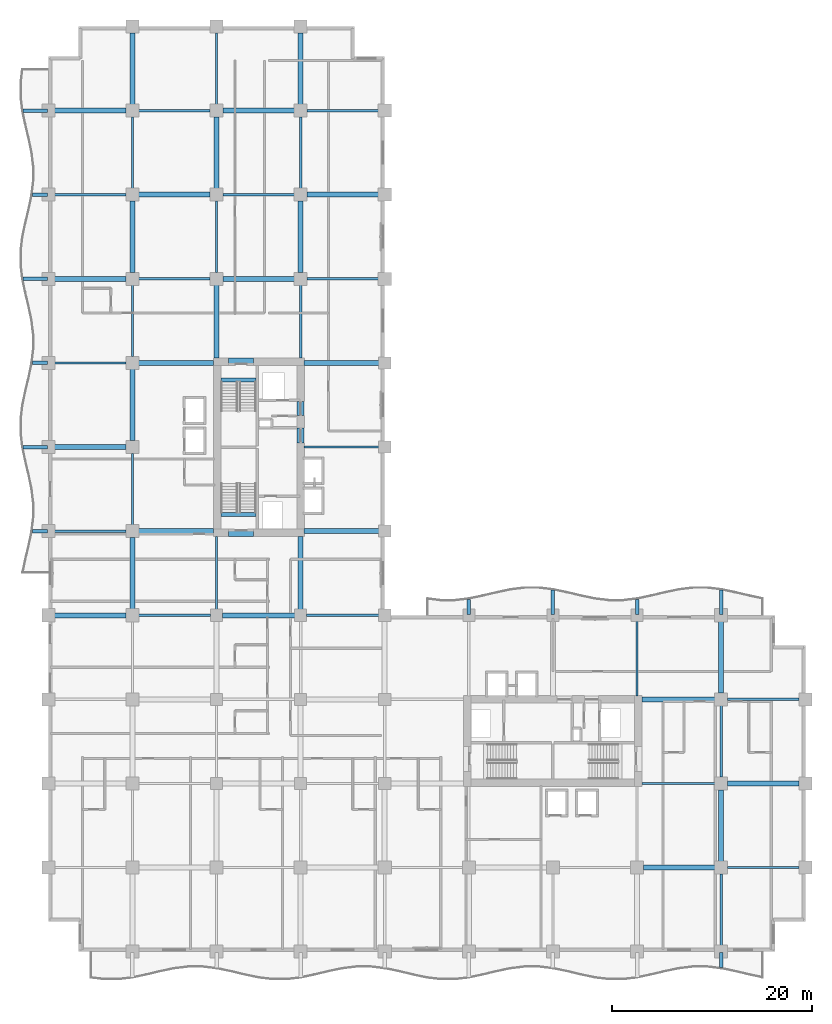
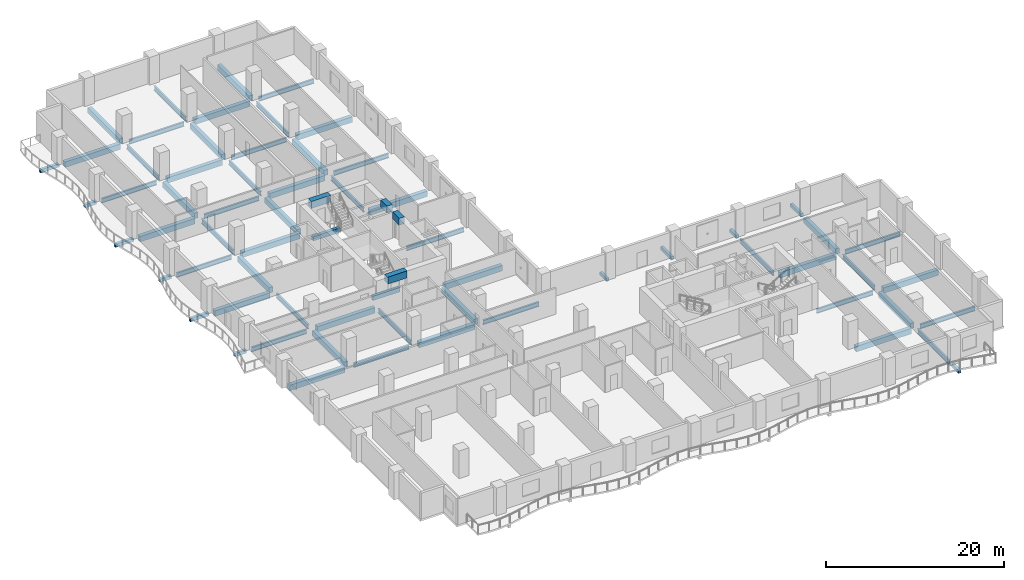
# One storey, part 2 of 18: 69 beams.
"""IFC4 building model written with IfcOpenShell, lengths in metres."""

from ifc_helpers import new_model, si_unit, direction, frame, origin, origin_2d, place, context, subcontext, project, spatial, rectangle, i_section, extrude, material, material_profile, profile_set, type_object, element, save


model = new_model("IFC4")

# Units and contexts
model_context = context("Model", 3, precision=1e-05, world=origin(), true_north=direction((0.0, 1.0)))
body_context = subcontext(model_context, "Body", "Model", "MODEL_VIEW")
ifc_project = project(units=[si_unit("LENGTHUNIT", "METRE"), si_unit("AREAUNIT", "SQUARE_METRE"), si_unit("VOLUMEUNIT", "CUBIC_METRE"), si_unit("PLANEANGLEUNIT", "RADIAN"), si_unit("MASSUNIT", "GRAM", prefix="KILO")], contexts=[model_context])

# Site, building, storey
site_placement = place(None, origin())
site = spatial("IfcSite", under=ifc_project, at=site_placement, CompositionType="ELEMENT")
building_placement = place(site_placement, origin())
building = spatial("IfcBuilding", under=site, at=building_placement, Name="Koriwani Terraces Tower", CompositionType="ELEMENT")
storey_placement = place(building_placement, frame((0.0, 0.0, 115.199951171875)))
storey = spatial("IfcBuildingStorey", under=building, at=storey_placement, Name="L27", CompositionType="ELEMENT", Elevation=115.199951171875)

# Beams
ifc_material_1 = material(Name="Concrete C40/50", Category="concrete")
ifc_material_profile_1 = material_profile(ifc_material_1, rectangle(XDim=0.35009765625, YDim=0.449951171875, at=origin_2d()), Name="Concrete C40/50", Category="LoadBearing")
ifc_profile_set_1 = profile_set([ifc_material_profile_1], Name="Concrete C40/50")
beam_type_1 = type_object("IfcBeamType", Name="BEAM_RC_BALCONY_RIB_350X450", PredefinedType="JOIST", material=ifc_profile_set_1)
for number, where, z_axis, x_axis, name in (
    (1, (67.199951171875, -1.59033203125, -0.474853515625), (0.0, 1.0, 0.0), (-1.0, 0.0, 0.0), "L27 Balcony Bracket Rib S-8"),
    (2, (-1.59033203125, 42.0, -0.474853515625), (1.0, 0.0, 0.0), (0.0, 1.0, 0.0), "L27 Balcony Bracket Rib W-1"),
):
    element("IfcBeam", number, at=place(storey_placement, frame(where, z_axis=z_axis, x_axis=x_axis)), inside=storey, type_object=beam_type_1, Name=name, PredefinedType="JOIST", context=body_context, shape_type="SweptSolid", body=[
        extrude(rectangle(XDim=0.35009765625, YDim=0.449951171875, at=origin_2d()), origin(), (0.0, 0.0, 1.0), 1.490234375),
    ])
beam_1_placement = place(storey_placement, frame((-2.509521484375, 50.39990234375, -0.474853515625), z_axis=(1.0, 0.0, 0.0), x_axis=(0.0, 1.0, 0.0)))
element("IfcBeam", 3, at=beam_1_placement, inside=storey, type_object=beam_type_1, Name="L27 Balcony Bracket Rib W-2", PredefinedType="JOIST", context=body_context, shape_type="SweptSolid", body=[
    extrude(rectangle(XDim=0.35009765625, YDim=0.449951171875, at=origin_2d()), origin(), (0.0, 0.0, 1.0), 2.409423828125),
])
beam_2_placement = place(storey_placement, frame((-1.59033203125, 58.800048828125, -0.474853515625), z_axis=(1.0, 0.0, 0.0), x_axis=(0.0, 1.0, 0.0)))
element("IfcBeam", 4, at=beam_2_placement, inside=storey, type_object=beam_type_1, Name="L27 Balcony Bracket Rib W-3", PredefinedType="JOIST", context=body_context, shape_type="SweptSolid", body=[
    extrude(rectangle(XDim=0.35009765625, YDim=0.449951171875, at=origin_2d()), origin(), (0.0, 0.0, 1.0), 1.490234375),
])
beam_3_placement = place(storey_placement, frame((-2.509521484375, 67.199951171875, -0.474853515625), z_axis=(1.0, 0.0, 0.0), x_axis=(0.0, 1.0, 0.0)))
element("IfcBeam", 5, at=beam_3_placement, inside=storey, type_object=beam_type_1, Name="L27 Balcony Bracket Rib W-4", PredefinedType="JOIST", context=body_context, shape_type="SweptSolid", body=[
    extrude(rectangle(XDim=0.35009765625, YDim=0.449951171875, at=origin_2d()), origin(), (0.0, 0.0, 1.0), 2.409423828125),
])
beam_4_placement = place(storey_placement, frame((-1.59033203125, 75.60009765625, -0.474853515625), z_axis=(1.0, 0.0, 0.0), x_axis=(0.0, 1.0, 0.0)))
element("IfcBeam", 6, at=beam_4_placement, inside=storey, type_object=beam_type_1, Name="L27 Balcony Bracket Rib W-5", PredefinedType="JOIST", context=body_context, shape_type="SweptSolid", body=[
    extrude(rectangle(XDim=0.35009765625, YDim=0.449951171875, at=origin_2d()), origin(), (0.0, 0.0, 1.0), 1.490234375),
])
beam_5_placement = place(storey_placement, frame((-2.509521484375, 84.0, -0.474853515625), z_axis=(1.0, 0.0, 0.0), x_axis=(0.0, 1.0, 0.0)))
element("IfcBeam", 7, at=beam_5_placement, inside=storey, type_object=beam_type_1, Name="L27 Balcony Bracket Rib W-6", PredefinedType="JOIST", context=body_context, shape_type="SweptSolid", body=[
    extrude(rectangle(XDim=0.35009765625, YDim=0.449951171875, at=origin_2d()), origin(), (0.0, 0.0, 1.0), 2.409423828125),
])
beam_6_placement = place(storey_placement, frame((42.0, 33.699951171875, -0.474853515625), z_axis=(0.0, 1.0, 0.0), x_axis=(-1.0, 0.0, 0.0)))
element("IfcBeam", 8, at=beam_6_placement, inside=storey, type_object=beam_type_1, Name="L27 Balcony Bracket Rib NE-1", PredefinedType="JOIST", context=body_context, shape_type="SweptSolid", body=[
    extrude(rectangle(XDim=0.35009765625, YDim=0.449951171875, at=origin_2d()), origin(), (0.0, 0.0, 1.0), 1.490478515625),
])
beam_7_placement = place(storey_placement, frame((50.39990234375, 33.699951171875, -0.474853515625), z_axis=(0.0, 1.0, 0.0), x_axis=(-1.0, 0.0, 0.0)))
element("IfcBeam", 9, at=beam_7_placement, inside=storey, type_object=beam_type_1, Name="L27 Balcony Bracket Rib NE-2", PredefinedType="JOIST", context=body_context, shape_type="SweptSolid", body=[
    extrude(rectangle(XDim=0.35009765625, YDim=0.449951171875, at=origin_2d()), origin(), (0.0, 0.0, 1.0), 2.40966796875),
])
beam_8_placement = place(storey_placement, frame((58.800048828125, 33.699951171875, -0.474853515625), z_axis=(0.0, 1.0, 0.0), x_axis=(-1.0, 0.0, 0.0)))
element("IfcBeam", 10, at=beam_8_placement, inside=storey, type_object=beam_type_1, Name="L27 Balcony Bracket Rib NE-3", PredefinedType="JOIST", context=body_context, shape_type="SweptSolid", body=[
    extrude(rectangle(XDim=0.35009765625, YDim=0.449951171875, at=origin_2d()), origin(), (0.0, 0.0, 1.0), 1.490478515625),
])
beam_9_placement = place(storey_placement, frame((67.199951171875, 33.699951171875, -0.474853515625), z_axis=(0.0, 1.0, 0.0), x_axis=(-1.0, 0.0, 0.0)))
element("IfcBeam", 11, at=beam_9_placement, inside=storey, type_object=beam_type_1, Name="L27 Balcony Bracket Rib NE-4", PredefinedType="JOIST", context=body_context, shape_type="SweptSolid", body=[
    extrude(rectangle(XDim=0.35009765625, YDim=0.449951171875, at=origin_2d()), origin(), (0.0, 0.0, 1.0), 2.40966796875),
])
ifc_material_2 = material(Name="Concrete C60/75", Category="concrete")
ifc_material_profile_2 = material_profile(ifc_material_2, rectangle(XDim=0.699951171875, YDim=0.949951171875, at=origin_2d()), Name="Concrete C60/75", Category="LoadBearing")
ifc_profile_set_2 = profile_set([ifc_material_profile_2], Name="Concrete C60/75")
beam_type_2 = type_object("IfcBeamType", Name="BEAM_RC_COUPLING_700X950", PredefinedType="LINTEL", material=ifc_profile_set_2)
beam_10_placement = place(storey_placement, frame((25.199951171875, 50.800048828125, 3.074951171875), z_axis=(0.0, 1.0, 0.0), x_axis=(-1.0, 0.0, 0.0)))
element("IfcBeam", 12, at=beam_10_placement, inside=storey, type_object=beam_type_2, Name="L27 Core Coupling Lintel Beam WE1", PredefinedType="LINTEL", context=body_context, shape_type="SweptSolid", body=[
    extrude(rectangle(XDim=0.699951171875, YDim=0.949951171875, at=origin_2d()), origin(), (0.0, 0.0, 1.0), 1.47998046875),
])
beam_11_placement = place(storey_placement, frame((25.199951171875, 53.550048828125, 3.074951171875), z_axis=(0.0, 1.0, 0.0), x_axis=(-1.0, 0.0, 0.0)))
element("IfcBeam", 13, at=beam_11_placement, inside=storey, type_object=beam_type_2, Name="L27 Core Coupling Lintel Beam WE2", PredefinedType="LINTEL", context=body_context, shape_type="SweptSolid", body=[
    extrude(rectangle(XDim=0.699951171875, YDim=0.949951171875, at=origin_2d()), origin(), (0.0, 0.0, 1.0), 1.39990234375),
])
for number, where, z_axis, x_axis, name in (
    (14, (18.0, 41.824951171875, 3.074951171875), (1.0, 0.0, 0.0), (0.0, 1.0, 0.0), "L27 Core Coupling Lintel Beam WS"),
    (15, (18.0, 58.925048828125, 3.074951171875), (1.0, 0.0, 0.0), (0.0, 1.0, 0.0), "L27 Core Coupling Lintel Beam WN"),
):
    element("IfcBeam", number, at=place(storey_placement, frame(where, z_axis=z_axis, x_axis=x_axis)), inside=storey, type_object=beam_type_2, Name=name, PredefinedType="LINTEL", context=body_context, shape_type="SweptSolid", body=[
        extrude(rectangle(XDim=0.699951171875, YDim=0.949951171875, at=origin_2d()), origin(), (0.0, 0.0, 1.0), 2.5),
    ])
ifc_material_profile_3 = material_profile(ifc_material_1, rectangle(XDim=0.39990234375, YDim=0.60009765625, at=origin_2d()), Name="Concrete C40/50", Category="LoadBearing")
ifc_profile_set_3 = profile_set([ifc_material_profile_3], Name="Concrete C40/50")
beam_type_3 = type_object("IfcBeamType", Name="BEAM_RC_GRID_400X600", PredefinedType="BEAM", material=ifc_profile_set_3)
for number, where, z_axis, x_axis, name in (
    (16, (17.25, 43.655029296875, -0.300048828125), (1.0, 0.0, 0.0), (0.0, 1.0, 0.0), "L27 Stairwell Header Trimmer Beam ST-W1"),
    (17, (17.25, 57.094970703125, -0.300048828125), (1.0, 0.0, 0.0), (0.0, 1.0, 0.0), "L27 Stairwell Header Trimmer Beam ST-W2"),
):
    element("IfcBeam", number, at=place(storey_placement, frame(where, z_axis=z_axis, x_axis=x_axis)), inside=storey, type_object=beam_type_3, Name=name, PredefinedType="BEAM", context=body_context, shape_type="SweptSolid", body=[
        extrude(rectangle(XDim=0.39990234375, YDim=0.60009765625, at=origin_2d()), origin(), (0.0, 0.0, 1.0), 3.5),
    ])
ifc_material_3 = material(Name="Concrete C50/60", Category="concrete")
ifc_material_profile_4 = material_profile(ifc_material_3, rectangle(XDim=0.5, YDim=0.75, at=origin_2d()), Name="Concrete C50/60", Category="LoadBearing")
ifc_profile_set_4 = profile_set([ifc_material_profile_4], Name="Concrete C50/60")
beam_type_4 = type_object("IfcBeamType", Name="BEAM_RC_GRID_500X750", PredefinedType="BEAM", material=ifc_profile_set_4)
beam_12_placement = place(storey_placement, frame((59.429931640625, 8.39990234375, -0.625), z_axis=(1.0, 0.0, 0.0), x_axis=(0.0, 1.0, 0.0)))
element("IfcBeam", 18, at=beam_12_placement, inside=storey, type_object=beam_type_4, Name="L27 Grid Beam B (58.8-67.2m)", PredefinedType="BEAM", context=body_context, shape_type="SweptSolid", body=[
    extrude(rectangle(XDim=0.5, YDim=0.75, at=origin_2d()), origin(), (0.0, 0.0, 1.0), 7.14013671875),
])
beam_13_placement = place(storey_placement, frame((67.830078125, 16.800048828125, -0.625), z_axis=(1.0, 0.0, 0.0), x_axis=(0.0, 1.0, 0.0)))
element("IfcBeam", 19, at=beam_13_placement, inside=storey, type_object=beam_type_4, Name="L27 Grid Beam C (67.2-75.6m)", PredefinedType="BEAM", context=body_context, shape_type="SweptSolid", body=[
    extrude(rectangle(XDim=0.5, YDim=0.75, at=origin_2d()), origin(), (0.0, 0.0, 1.0), 7.139892578125),
])
beam_14_placement = place(storey_placement, frame((59.280029296875, 25.199951171875, -0.625), z_axis=(1.0, 0.0, 0.0), x_axis=(0.0, 1.0, 0.0)))
element("IfcBeam", 20, at=beam_14_placement, inside=storey, type_object=beam_type_4, Name="L27 Grid Beam D (58.8-67.2m)", PredefinedType="BEAM", context=body_context, shape_type="SweptSolid", body=[
    extrude(rectangle(XDim=0.5, YDim=0.75, at=origin_2d()), origin(), (0.0, 0.0, 1.0), 7.2900390625),
])
beam_15_placement = place(storey_placement, frame((0.6298828125, 33.60009765625, -0.625), z_axis=(1.0, 0.0, 0.0), x_axis=(0.0, 1.0, 0.0)))
element("IfcBeam", 21, at=beam_15_placement, inside=storey, type_object=beam_type_4, Name="L27 Grid Beam E (0.0-8.4m)", PredefinedType="BEAM", context=body_context, shape_type="SweptSolid", body=[
    extrude(rectangle(XDim=0.5, YDim=0.75, at=origin_2d()), origin(), (0.0, 0.0, 1.0), 7.14013671875),
])
beam_16_placement = place(storey_placement, frame((17.3798828125, 33.60009765625, -0.625), z_axis=(1.0, 0.0, 0.0), x_axis=(0.0, 1.0, 0.0)))
element("IfcBeam", 22, at=beam_16_placement, inside=storey, type_object=beam_type_4, Name="L27 Grid Beam E (16.8-25.2m)", PredefinedType="BEAM", context=body_context, shape_type="SweptSolid", body=[
    extrude(rectangle(XDim=0.5, YDim=0.75, at=origin_2d()), origin(), (0.0, 0.0, 1.0), 7.240234375),
])
beam_17_placement = place(storey_placement, frame((9.030029296875, 42.0, -0.625), z_axis=(1.0, 0.0, 0.0), x_axis=(0.0, 1.0, 0.0)))
element("IfcBeam", 23, at=beam_17_placement, inside=storey, type_object=beam_type_4, Name="L27 Grid Beam F (8.4-16.8m)", PredefinedType="BEAM", context=body_context, shape_type="SweptSolid", body=[
    extrude(rectangle(XDim=0.5, YDim=0.75, at=origin_2d()), origin(), (0.0, 0.0, 1.0), 7.489990234375),
])
beam_18_placement = place(storey_placement, frame((25.554931640625, 42.0, -0.625), z_axis=(1.0, 0.0, 0.0), x_axis=(0.0, 1.0, 0.0)))
element("IfcBeam", 24, at=beam_18_placement, inside=storey, type_object=beam_type_4, Name="L27 Grid Beam F (25.2-33.6m)", PredefinedType="BEAM", context=body_context, shape_type="SweptSolid", body=[
    extrude(rectangle(XDim=0.5, YDim=0.75, at=origin_2d()), origin(), (0.0, 0.0, 1.0), 7.465087890625),
])
beam_19_placement = place(storey_placement, frame((0.6298828125, 50.39990234375, -0.625), z_axis=(1.0, 0.0, 0.0), x_axis=(0.0, 1.0, 0.0)))
element("IfcBeam", 25, at=beam_19_placement, inside=storey, type_object=beam_type_4, Name="L27 Grid Beam G (0.0-8.4m)", PredefinedType="BEAM", context=body_context, shape_type="SweptSolid", body=[
    extrude(rectangle(XDim=0.5, YDim=0.75, at=origin_2d()), origin(), (0.0, 0.0, 1.0), 7.14013671875),
])
beam_20_placement = place(storey_placement, frame((9.030029296875, 58.800048828125, -0.625), z_axis=(1.0, 0.0, 0.0), x_axis=(0.0, 1.0, 0.0)))
element("IfcBeam", 26, at=beam_20_placement, inside=storey, type_object=beam_type_4, Name="L27 Grid Beam H (8.4-16.8m)", PredefinedType="BEAM", context=body_context, shape_type="SweptSolid", body=[
    extrude(rectangle(XDim=0.5, YDim=0.75, at=origin_2d()), origin(), (0.0, 0.0, 1.0), 7.489990234375),
])
beam_21_placement = place(storey_placement, frame((25.554931640625, 58.800048828125, -0.625), z_axis=(1.0, 0.0, 0.0), x_axis=(0.0, 1.0, 0.0)))
element("IfcBeam", 27, at=beam_21_placement, inside=storey, type_object=beam_type_4, Name="L27 Grid Beam H (25.2-33.6m)", PredefinedType="BEAM", context=body_context, shape_type="SweptSolid", body=[
    extrude(rectangle(XDim=0.5, YDim=0.75, at=origin_2d()), origin(), (0.0, 0.0, 1.0), 7.465087890625),
])
for number, where, z_axis, x_axis, name in (
    (28, (0.6298828125, 67.199951171875, -0.625), (1.0, 0.0, 0.0), (0.0, 1.0, 0.0), "L27 Grid Beam I (0.0-8.4m)"),
    (29, (17.429931640625, 67.199951171875, -0.625), (1.0, 0.0, 0.0), (0.0, 1.0, 0.0), "L27 Grid Beam I (16.8-25.2m)"),
):
    element("IfcBeam", number, at=place(storey_placement, frame(where, z_axis=z_axis, x_axis=x_axis)), inside=storey, type_object=beam_type_4, Name=name, PredefinedType="BEAM", context=body_context, shape_type="SweptSolid", body=[
        extrude(rectangle(XDim=0.5, YDim=0.75, at=origin_2d()), origin(), (0.0, 0.0, 1.0), 7.14013671875),
    ])
for number, where, z_axis, x_axis, name in (
    (30, (9.030029296875, 75.60009765625, -0.625), (1.0, 0.0, 0.0), (0.0, 1.0, 0.0), "L27 Grid Beam J (8.4-16.8m)"),
    (31, (25.830078125, 75.60009765625, -0.625), (1.0, 0.0, 0.0), (0.0, 1.0, 0.0), "L27 Grid Beam J (25.2-33.6m)"),
):
    element("IfcBeam", number, at=place(storey_placement, frame(where, z_axis=z_axis, x_axis=x_axis)), inside=storey, type_object=beam_type_4, Name=name, PredefinedType="BEAM", context=body_context, shape_type="SweptSolid", body=[
        extrude(rectangle(XDim=0.5, YDim=0.75, at=origin_2d()), origin(), (0.0, 0.0, 1.0), 7.139892578125),
    ])
for number, where, z_axis, x_axis, name in (
    (32, (0.6298828125, 84.0, -0.625), (1.0, 0.0, 0.0), (0.0, 1.0, 0.0), "L27 Grid Beam K (0.0-8.4m)"),
    (33, (17.429931640625, 84.0, -0.625), (1.0, 0.0, 0.0), (0.0, 1.0, 0.0), "L27 Grid Beam K (16.8-25.2m)"),
    (34, (8.39990234375, 34.22998046875, -0.625), (0.0, 1.0, 0.0), (-1.0, 0.0, 0.0), "L27 Grid Beam 2 (33.6-42.0m)"),
):
    element("IfcBeam", number, at=place(storey_placement, frame(where, z_axis=z_axis, x_axis=x_axis)), inside=storey, type_object=beam_type_4, Name=name, PredefinedType="BEAM", context=body_context, shape_type="SweptSolid", body=[
        extrude(rectangle(XDim=0.5, YDim=0.75, at=origin_2d()), origin(), (0.0, 0.0, 1.0), 7.14013671875),
    ])
for number, where, z_axis, x_axis, name in (
    (35, (8.39990234375, 51.030029296875, -0.625), (0.0, 1.0, 0.0), (-1.0, 0.0, 0.0), "L27 Grid Beam 2 (50.4-58.8m)"),
    (36, (8.39990234375, 67.830078125, -0.625), (0.0, 1.0, 0.0), (-1.0, 0.0, 0.0), "L27 Grid Beam 2 (67.2-75.6m)"),
):
    element("IfcBeam", number, at=place(storey_placement, frame(where, z_axis=z_axis, x_axis=x_axis)), inside=storey, type_object=beam_type_4, Name=name, PredefinedType="BEAM", context=body_context, shape_type="SweptSolid", body=[
        extrude(rectangle(XDim=0.5, YDim=0.75, at=origin_2d()), origin(), (0.0, 0.0, 1.0), 7.139892578125),
    ])
beam_22_placement = place(storey_placement, frame((8.39990234375, 84.6298828125, -0.625), z_axis=(0.0, 1.0, 0.0), x_axis=(-1.0, 0.0, 0.0)))
element("IfcBeam", 37, at=beam_22_placement, inside=storey, type_object=beam_type_4, Name="L27 Grid Beam 2 (84.0-92.4m)", PredefinedType="BEAM", context=body_context, shape_type="SweptSolid", body=[
    extrude(rectangle(XDim=0.5, YDim=0.75, at=origin_2d()), origin(), (0.0, 0.0, 1.0), 7.14013671875),
])
beam_23_placement = place(storey_placement, frame((16.800048828125, 59.280029296875, -0.625), z_axis=(0.0, 1.0, 0.0), x_axis=(-1.0, 0.0, 0.0)))
element("IfcBeam", 38, at=beam_23_placement, inside=storey, type_object=beam_type_4, Name="L27 Grid Beam 3 (58.8-67.2m)", PredefinedType="BEAM", context=body_context, shape_type="SweptSolid", body=[
    extrude(rectangle(XDim=0.5, YDim=0.75, at=origin_2d()), origin(), (0.0, 0.0, 1.0), 7.2900390625),
])
beam_24_placement = place(storey_placement, frame((16.800048828125, 76.22998046875, -0.625), z_axis=(0.0, 1.0, 0.0), x_axis=(-1.0, 0.0, 0.0)))
element("IfcBeam", 39, at=beam_24_placement, inside=storey, type_object=beam_type_4, Name="L27 Grid Beam 3 (75.6-84.0m)", PredefinedType="BEAM", context=body_context, shape_type="SweptSolid", body=[
    extrude(rectangle(XDim=0.5, YDim=0.75, at=origin_2d()), origin(), (0.0, 0.0, 1.0), 7.14013671875),
])
beam_25_placement = place(storey_placement, frame((25.199951171875, 34.179931640625, -0.625), z_axis=(0.0, 1.0, 0.0), x_axis=(-1.0, 0.0, 0.0)))
element("IfcBeam", 40, at=beam_25_placement, inside=storey, type_object=beam_type_4, Name="L27 Grid Beam 4 (33.6-42.0m)", PredefinedType="BEAM", context=body_context, shape_type="SweptSolid", body=[
    extrude(rectangle(XDim=0.5, YDim=0.75, at=origin_2d()), origin(), (0.0, 0.0, 1.0), 7.2900390625),
])
beam_26_placement = place(storey_placement, frame((25.199951171875, 67.830078125, -0.625), z_axis=(0.0, 1.0, 0.0), x_axis=(-1.0, 0.0, 0.0)))
element("IfcBeam", 41, at=beam_26_placement, inside=storey, type_object=beam_type_4, Name="L27 Grid Beam 4 (67.2-75.6m)", PredefinedType="BEAM", context=body_context, shape_type="SweptSolid", body=[
    extrude(rectangle(XDim=0.5, YDim=0.75, at=origin_2d()), origin(), (0.0, 0.0, 1.0), 7.139892578125),
])
beam_27_placement = place(storey_placement, frame((25.199951171875, 84.6298828125, -0.625), z_axis=(0.0, 1.0, 0.0), x_axis=(-1.0, 0.0, 0.0)))
element("IfcBeam", 42, at=beam_27_placement, inside=storey, type_object=beam_type_4, Name="L27 Grid Beam 4 (84.0-92.4m)", PredefinedType="BEAM", context=body_context, shape_type="SweptSolid", body=[
    extrude(rectangle(XDim=0.5, YDim=0.75, at=origin_2d()), origin(), (0.0, 0.0, 1.0), 7.14013671875),
])
for number, where, z_axis, x_axis, name in (
    (43, (67.199951171875, 9.030029296875, -0.625), (0.0, 1.0, 0.0), (-1.0, 0.0, 0.0), "L27 Grid Beam 9 (8.4-16.8m)"),
    (44, (67.199951171875, 25.830078125, -0.625), (0.0, 1.0, 0.0), (-1.0, 0.0, 0.0), "L27 Grid Beam 9 (25.2-33.6m)"),
):
    element("IfcBeam", number, at=place(storey_placement, frame(where, z_axis=z_axis, x_axis=x_axis)), inside=storey, type_object=beam_type_4, Name=name, PredefinedType="BEAM", context=body_context, shape_type="SweptSolid", body=[
        extrude(rectangle(XDim=0.5, YDim=0.75, at=origin_2d()), origin(), (0.0, 0.0, 1.0), 7.139892578125),
    ])
ifc_material_4 = material(Name="Steel ASTM A572 Grade 50", Category="steel")
ifc_material_profile_5 = material_profile(ifc_material_4, i_section(OverallWidth=0.22900390625, OverallDepth=0.611083984375, WebThickness=0.0126953125, FlangeThickness=0.022216796875, at=origin_2d()), Name="Steel ASTM A572 Grade 50", Category="LoadBearing")
ifc_profile_set_5 = profile_set([ifc_material_profile_5], Name="Steel ASTM A572 Grade 50")
beam_type_5 = type_object("IfcBeamType", Name="STEEL_BEAM_W610X155", PredefinedType="BEAM", material=ifc_profile_set_5)
beam_28_placement = place(storey_placement, frame((67.830078125, 8.39990234375, -0.555419921875), z_axis=(1.0, 0.0, 0.0), x_axis=(0.0, 1.0, 0.0)))
element("IfcBeam", 45, at=beam_28_placement, inside=storey, type_object=beam_type_5, Name="L27 Grid Beam B (67.2-75.6m)", PredefinedType="BEAM", context=body_context, shape_type="SweptSolid", body=[
    extrude(i_section(OverallWidth=0.22900390625, OverallDepth=0.611083984375, WebThickness=0.0126953125, FlangeThickness=0.022216796875, at=origin_2d()), origin(), (0.0, 0.0, 1.0), 7.139892578125),
])
beam_29_placement = place(storey_placement, frame((59.280029296875, 16.800048828125, -0.555419921875), z_axis=(1.0, 0.0, 0.0), x_axis=(0.0, 1.0, 0.0)))
element("IfcBeam", 46, at=beam_29_placement, inside=storey, type_object=beam_type_5, Name="L27 Grid Beam C (58.8-67.2m)", PredefinedType="BEAM", context=body_context, shape_type="SweptSolid", body=[
    extrude(i_section(OverallWidth=0.22900390625, OverallDepth=0.611083984375, WebThickness=0.0126953125, FlangeThickness=0.022216796875, at=origin_2d()), origin(), (0.0, 0.0, 1.0), 7.2900390625),
])
beam_30_placement = place(storey_placement, frame((67.830078125, 25.199951171875, -0.555419921875), z_axis=(1.0, 0.0, 0.0), x_axis=(0.0, 1.0, 0.0)))
element("IfcBeam", 47, at=beam_30_placement, inside=storey, type_object=beam_type_5, Name="L27 Grid Beam D (67.2-75.6m)", PredefinedType="BEAM", context=body_context, shape_type="SweptSolid", body=[
    extrude(i_section(OverallWidth=0.22900390625, OverallDepth=0.611083984375, WebThickness=0.0126953125, FlangeThickness=0.022216796875, at=origin_2d()), origin(), (0.0, 0.0, 1.0), 7.139892578125),
])
beam_31_placement = place(storey_placement, frame((9.030029296875, 33.60009765625, -0.555419921875), z_axis=(1.0, 0.0, 0.0), x_axis=(0.0, 1.0, 0.0)))
element("IfcBeam", 48, at=beam_31_placement, inside=storey, type_object=beam_type_5, Name="L27 Grid Beam E (8.4-16.8m)", PredefinedType="BEAM", context=body_context, shape_type="SweptSolid", body=[
    extrude(i_section(OverallWidth=0.22900390625, OverallDepth=0.611083984375, WebThickness=0.0126953125, FlangeThickness=0.022216796875, at=origin_2d()), origin(), (0.0, 0.0, 1.0), 7.18994140625),
])
beam_32_placement = place(storey_placement, frame((25.780029296875, 33.60009765625, -0.555419921875), z_axis=(1.0, 0.0, 0.0), x_axis=(0.0, 1.0, 0.0)))
element("IfcBeam", 49, at=beam_32_placement, inside=storey, type_object=beam_type_5, Name="L27 Grid Beam E (25.2-33.6m)", PredefinedType="BEAM", context=body_context, shape_type="SweptSolid", body=[
    extrude(i_section(OverallWidth=0.22900390625, OverallDepth=0.611083984375, WebThickness=0.0126953125, FlangeThickness=0.022216796875, at=origin_2d()), origin(), (0.0, 0.0, 1.0), 7.239990234375),
])
beam_33_placement = place(storey_placement, frame((0.6298828125, 42.0, -0.555419921875), z_axis=(1.0, 0.0, 0.0), x_axis=(0.0, 1.0, 0.0)))
element("IfcBeam", 50, at=beam_33_placement, inside=storey, type_object=beam_type_5, Name="L27 Grid Beam F (0.0-8.4m)", PredefinedType="BEAM", context=body_context, shape_type="SweptSolid", body=[
    extrude(i_section(OverallWidth=0.22900390625, OverallDepth=0.611083984375, WebThickness=0.0126953125, FlangeThickness=0.022216796875, at=origin_2d()), origin(), (0.0, 0.0, 1.0), 7.14013671875),
])
beam_34_placement = place(storey_placement, frame((25.554931640625, 50.39990234375, -0.555419921875), z_axis=(1.0, 0.0, 0.0), x_axis=(0.0, 1.0, 0.0)))
element("IfcBeam", 51, at=beam_34_placement, inside=storey, type_object=beam_type_5, Name="L27 Grid Beam G (25.2-33.6m)", PredefinedType="BEAM", context=body_context, shape_type="SweptSolid", body=[
    extrude(i_section(OverallWidth=0.22900390625, OverallDepth=0.611083984375, WebThickness=0.0126953125, FlangeThickness=0.022216796875, at=origin_2d()), origin(), (0.0, 0.0, 1.0), 7.465087890625),
])
beam_35_placement = place(storey_placement, frame((0.6298828125, 58.800048828125, -0.555419921875), z_axis=(1.0, 0.0, 0.0), x_axis=(0.0, 1.0, 0.0)))
element("IfcBeam", 52, at=beam_35_placement, inside=storey, type_object=beam_type_5, Name="L27 Grid Beam H (0.0-8.4m)", PredefinedType="BEAM", context=body_context, shape_type="SweptSolid", body=[
    extrude(i_section(OverallWidth=0.22900390625, OverallDepth=0.611083984375, WebThickness=0.0126953125, FlangeThickness=0.022216796875, at=origin_2d()), origin(), (0.0, 0.0, 1.0), 7.14013671875),
])
for number, where, z_axis, x_axis, name in (
    (53, (9.030029296875, 67.199951171875, -0.555419921875), (1.0, 0.0, 0.0), (0.0, 1.0, 0.0), "L27 Grid Beam I (8.4-16.8m)"),
    (54, (25.830078125, 67.199951171875, -0.555419921875), (1.0, 0.0, 0.0), (0.0, 1.0, 0.0), "L27 Grid Beam I (25.2-33.6m)"),
):
    element("IfcBeam", number, at=place(storey_placement, frame(where, z_axis=z_axis, x_axis=x_axis)), inside=storey, type_object=beam_type_5, Name=name, PredefinedType="BEAM", context=body_context, shape_type="SweptSolid", body=[
        extrude(i_section(OverallWidth=0.22900390625, OverallDepth=0.611083984375, WebThickness=0.0126953125, FlangeThickness=0.022216796875, at=origin_2d()), origin(), (0.0, 0.0, 1.0), 7.139892578125),
    ])
for number, where, z_axis, x_axis, name in (
    (55, (0.6298828125, 75.60009765625, -0.555419921875), (1.0, 0.0, 0.0), (0.0, 1.0, 0.0), "L27 Grid Beam J (0.0-8.4m)"),
    (56, (17.429931640625, 75.60009765625, -0.555419921875), (1.0, 0.0, 0.0), (0.0, 1.0, 0.0), "L27 Grid Beam J (16.8-25.2m)"),
):
    element("IfcBeam", number, at=place(storey_placement, frame(where, z_axis=z_axis, x_axis=x_axis)), inside=storey, type_object=beam_type_5, Name=name, PredefinedType="BEAM", context=body_context, shape_type="SweptSolid", body=[
        extrude(i_section(OverallWidth=0.22900390625, OverallDepth=0.611083984375, WebThickness=0.0126953125, FlangeThickness=0.022216796875, at=origin_2d()), origin(), (0.0, 0.0, 1.0), 7.14013671875),
    ])
for number, where, z_axis, x_axis, name in (
    (57, (9.030029296875, 84.0, -0.555419921875), (1.0, 0.0, 0.0), (0.0, 1.0, 0.0), "L27 Grid Beam K (8.4-16.8m)"),
    (58, (25.830078125, 84.0, -0.555419921875), (1.0, 0.0, 0.0), (0.0, 1.0, 0.0), "L27 Grid Beam K (25.2-33.6m)"),
):
    element("IfcBeam", number, at=place(storey_placement, frame(where, z_axis=z_axis, x_axis=x_axis)), inside=storey, type_object=beam_type_5, Name=name, PredefinedType="BEAM", context=body_context, shape_type="SweptSolid", body=[
        extrude(i_section(OverallWidth=0.22900390625, OverallDepth=0.611083984375, WebThickness=0.0126953125, FlangeThickness=0.022216796875, at=origin_2d()), origin(), (0.0, 0.0, 1.0), 7.139892578125),
    ])
for number, where, z_axis, x_axis, name in (
    (59, (8.39990234375, 42.6298828125, -0.555419921875), (0.0, 1.0, 0.0), (-1.0, 0.0, 0.0), "L27 Grid Beam 2 (42.0-50.4m)"),
    (60, (8.39990234375, 59.429931640625, -0.555419921875), (0.0, 1.0, 0.0), (-1.0, 0.0, 0.0), "L27 Grid Beam 2 (58.8-67.2m)"),
    (61, (8.39990234375, 76.22998046875, -0.555419921875), (0.0, 1.0, 0.0), (-1.0, 0.0, 0.0), "L27 Grid Beam 2 (75.6-84.0m)"),
):
    element("IfcBeam", number, at=place(storey_placement, frame(where, z_axis=z_axis, x_axis=x_axis)), inside=storey, type_object=beam_type_5, Name=name, PredefinedType="BEAM", context=body_context, shape_type="SweptSolid", body=[
        extrude(i_section(OverallWidth=0.22900390625, OverallDepth=0.611083984375, WebThickness=0.0126953125, FlangeThickness=0.022216796875, at=origin_2d()), origin(), (0.0, 0.0, 1.0), 7.14013671875),
    ])
beam_36_placement = place(storey_placement, frame((16.800048828125, 34.179931640625, -0.555419921875), z_axis=(0.0, 1.0, 0.0), x_axis=(-1.0, 0.0, 0.0)))
element("IfcBeam", 62, at=beam_36_placement, inside=storey, type_object=beam_type_5, Name="L27 Grid Beam 3 (33.6-42.0m)", PredefinedType="BEAM", context=body_context, shape_type="SweptSolid", body=[
    extrude(i_section(OverallWidth=0.22900390625, OverallDepth=0.611083984375, WebThickness=0.0126953125, FlangeThickness=0.022216796875, at=origin_2d()), origin(), (0.0, 0.0, 1.0), 7.2900390625),
])
beam_37_placement = place(storey_placement, frame((16.800048828125, 67.830078125, -0.555419921875), z_axis=(0.0, 1.0, 0.0), x_axis=(-1.0, 0.0, 0.0)))
element("IfcBeam", 63, at=beam_37_placement, inside=storey, type_object=beam_type_5, Name="L27 Grid Beam 3 (67.2-75.6m)", PredefinedType="BEAM", context=body_context, shape_type="SweptSolid", body=[
    extrude(i_section(OverallWidth=0.22900390625, OverallDepth=0.611083984375, WebThickness=0.0126953125, FlangeThickness=0.022216796875, at=origin_2d()), origin(), (0.0, 0.0, 1.0), 7.139892578125),
])
beam_38_placement = place(storey_placement, frame((16.800048828125, 84.6298828125, -0.555419921875), z_axis=(0.0, 1.0, 0.0), x_axis=(-1.0, 0.0, 0.0)))
element("IfcBeam", 64, at=beam_38_placement, inside=storey, type_object=beam_type_5, Name="L27 Grid Beam 3 (84.0-92.4m)", PredefinedType="BEAM", context=body_context, shape_type="SweptSolid", body=[
    extrude(i_section(OverallWidth=0.22900390625, OverallDepth=0.611083984375, WebThickness=0.0126953125, FlangeThickness=0.022216796875, at=origin_2d()), origin(), (0.0, 0.0, 1.0), 7.14013671875),
])
beam_39_placement = place(storey_placement, frame((25.199951171875, 59.280029296875, -0.555419921875), z_axis=(0.0, 1.0, 0.0), x_axis=(-1.0, 0.0, 0.0)))
element("IfcBeam", 65, at=beam_39_placement, inside=storey, type_object=beam_type_5, Name="L27 Grid Beam 4 (58.8-67.2m)", PredefinedType="BEAM", context=body_context, shape_type="SweptSolid", body=[
    extrude(i_section(OverallWidth=0.22900390625, OverallDepth=0.611083984375, WebThickness=0.0126953125, FlangeThickness=0.022216796875, at=origin_2d()), origin(), (0.0, 0.0, 1.0), 7.2900390625),
])
beam_40_placement = place(storey_placement, frame((25.199951171875, 76.22998046875, -0.555419921875), z_axis=(0.0, 1.0, 0.0), x_axis=(-1.0, 0.0, 0.0)))
element("IfcBeam", 66, at=beam_40_placement, inside=storey, type_object=beam_type_5, Name="L27 Grid Beam 4 (75.6-84.0m)", PredefinedType="BEAM", context=body_context, shape_type="SweptSolid", body=[
    extrude(i_section(OverallWidth=0.22900390625, OverallDepth=0.611083984375, WebThickness=0.0126953125, FlangeThickness=0.022216796875, at=origin_2d()), origin(), (0.0, 0.0, 1.0), 7.14013671875),
])
beam_41_placement = place(storey_placement, frame((58.800048828125, 25.554931640625, -0.555419921875), z_axis=(0.0, 1.0, 0.0), x_axis=(-1.0, 0.0, 0.0)))
element("IfcBeam", 67, at=beam_41_placement, inside=storey, type_object=beam_type_5, Name="L27 Grid Beam 8 (25.2-33.6m)", PredefinedType="BEAM", context=body_context, shape_type="SweptSolid", body=[
    extrude(i_section(OverallWidth=0.22900390625, OverallDepth=0.611083984375, WebThickness=0.0126953125, FlangeThickness=0.022216796875, at=origin_2d()), origin(), (0.0, 0.0, 1.0), 7.465087890625),
])
for number, where, z_axis, x_axis, name in (
    (68, (67.199951171875, 0.6298828125, -0.555419921875), (0.0, 1.0, 0.0), (-1.0, 0.0, 0.0), "L27 Grid Beam 9 (0.0-8.4m)"),
    (69, (67.199951171875, 17.429931640625, -0.555419921875), (0.0, 1.0, 0.0), (-1.0, 0.0, 0.0), "L27 Grid Beam 9 (16.8-25.2m)"),
):
    element("IfcBeam", number, at=place(storey_placement, frame(where, z_axis=z_axis, x_axis=x_axis)), inside=storey, type_object=beam_type_5, Name=name, PredefinedType="BEAM", context=body_context, shape_type="SweptSolid", body=[
        extrude(i_section(OverallWidth=0.22900390625, OverallDepth=0.611083984375, WebThickness=0.0126953125, FlangeThickness=0.022216796875, at=origin_2d()), origin(), (0.0, 0.0, 1.0), 7.14013671875),
    ])

save(model, "model.ifc")
